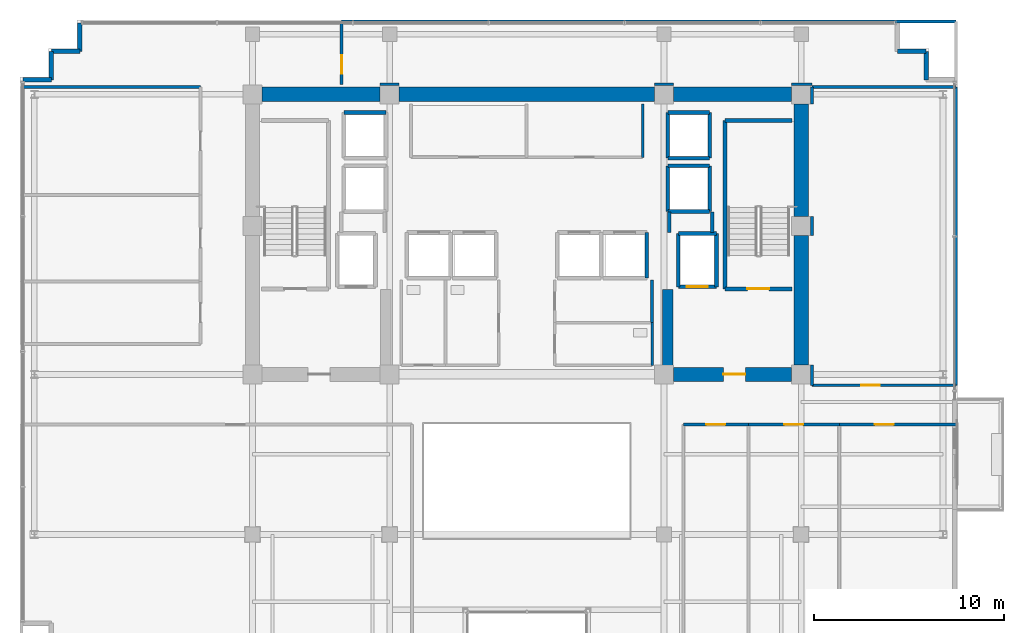
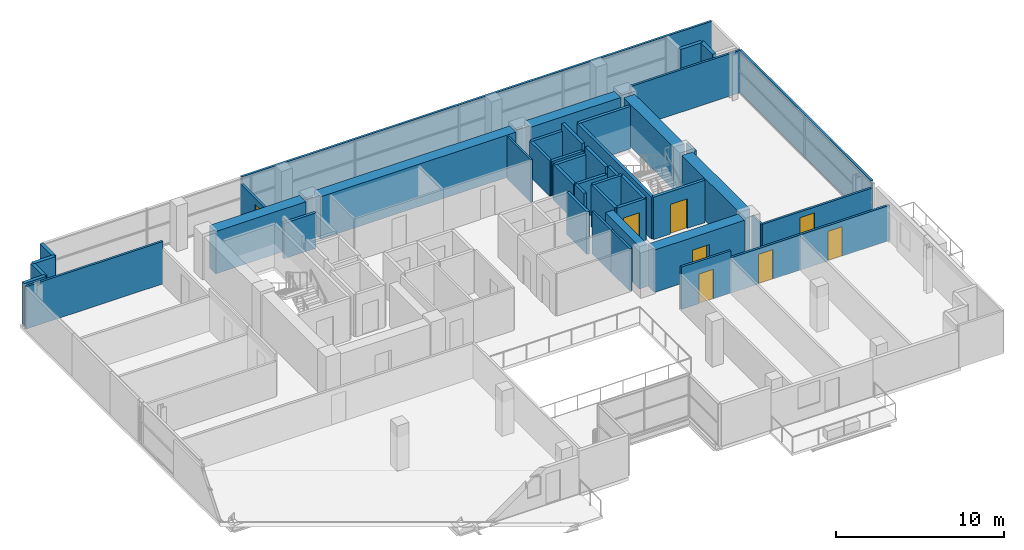
# One storey, part 20 of 25: 50 walls, 8 doors, 8 openings.
"""IFC4 building model written with IfcOpenShell, lengths in metres."""

from ifc_helpers import new_model, si_unit, direction, frame, frame_2d, origin, place, context, subcontext, project, spatial, rectangle, extrude, source, transform, mapped, material, layer, layer_set, type_object, element, fill, save


model = new_model("IFC4")

# Units and contexts
model_context = context("Model", 3, precision=1e-05, world=origin(), true_north=direction((0.0, 1.0)))
body_context = subcontext(model_context, "Body", "Model", "MODEL_VIEW")
ifc_project = project(units=[si_unit("LENGTHUNIT", "METRE"), si_unit("AREAUNIT", "SQUARE_METRE"), si_unit("VOLUMEUNIT", "CUBIC_METRE"), si_unit("PLANEANGLEUNIT", "RADIAN"), si_unit("MASSUNIT", "GRAM", prefix="KILO")], contexts=[model_context])

# Site, building, storey
site_placement = place(None, origin())
site = spatial("IfcSite", under=ifc_project, at=site_placement, CompositionType="ELEMENT")
building_placement = place(site_placement, origin())
building = spatial("IfcBuilding", under=site, at=building_placement, Name="Zarnakvel Exchange Tower", CompositionType="ELEMENT")
storey_placement = place(building_placement, frame((0.0, 0.0, 156.10009765625)))
storey = spatial("IfcBuildingStorey", under=building, at=storey_placement, Name="L43", CompositionType="ELEMENT", Elevation=156.10009765625)

# Walls
ifc_material_1 = material(Name="Concrete C60/75", Category="concrete")
ifc_layer_1 = layer(ifc_material_1, 0.75)
ifc_layer_set_1 = layer_set([ifc_layer_1], Name="Concrete C60/75")
wall_type_1 = type_object("IfcWallType", Name="CW-C3", PredefinedType="SHEAR", material=ifc_layer_set_1)
wall_1_placement = place(storey_placement, frame((-13.89990234375, 13.5, 0.0), z_axis=(0.0, 0.0, 1.0), x_axis=(1.0, 0.0, 0.0)))
element("IfcWall", 1, at=wall_1_placement, inside=storey, type_object=wall_type_1, Name="L43 Rear Core Shear Wall N1 (CW-C3)", PredefinedType="SHEAR", context=body_context, shape_type="SweptSolid", body=[
    extrude(rectangle(XDim=6.199951171875, YDim=0.75, at=frame_2d((3.10009765625, 0.0))), origin(), (0.0, 0.0, 1.0), 3.074951171875),
])
wall_2_placement = place(storey_placement, frame((-6.699951171875, 13.5, 0.0), z_axis=(0.0, 0.0, 1.0), x_axis=(1.0, 0.0, 0.0)))
element("IfcWall", 2, at=wall_2_placement, inside=storey, type_object=wall_type_1, Name="L43 Rear Core Shear Wall N2 (CW-C3)", PredefinedType="SHEAR", context=body_context, shape_type="SweptSolid", body=[
    extrude(rectangle(XDim=13.39990234375, YDim=0.75, at=frame_2d((6.699951171875, 0.0))), origin(), (0.0, 0.0, 1.0), 3.074951171875),
])
wall_3_placement = place(storey_placement, frame((7.699951171875, 13.5, 0.0), z_axis=(0.0, 0.0, 1.0), x_axis=(1.0, 0.0, 0.0)))
element("IfcWall", 3, at=wall_3_placement, inside=storey, type_object=wall_type_1, Name="L43 Rear Core Shear Wall N3 (CW-C3)", PredefinedType="SHEAR", context=body_context, shape_type="SweptSolid", body=[
    extrude(rectangle(XDim=6.199951171875, YDim=0.75, at=frame_2d((3.10009765625, 0.0))), origin(), (0.0, 0.0, 1.0), 3.074951171875),
])
wall_4_placement = place(storey_placement, frame((14.39990234375, -0.699951171875, 0.0), z_axis=(0.0, 0.0, 1.0), x_axis=(0.0, 1.0, 0.0)))
element("IfcWall", 4, at=wall_4_placement, inside=storey, type_object=wall_type_1, Name="L43 Rear Core Shear Wall E1 (CW-C3)", PredefinedType="SHEAR", context=body_context, shape_type="SweptSolid", body=[
    extrude(rectangle(XDim=6.800048828125, YDim=0.75, at=frame_2d((3.39990234375, 0.0))), origin(), (0.0, 0.0, 1.0), 3.074951171875),
])
wall_5_placement = place(storey_placement, frame((14.39990234375, 7.10009765625, 0.0), z_axis=(0.0, 0.0, 1.0), x_axis=(0.0, 1.0, 0.0)))
element("IfcWall", 5, at=wall_5_placement, inside=storey, type_object=wall_type_1, Name="L43 Rear Core Shear Wall E2 (CW-C3)", PredefinedType="SHEAR", context=body_context, shape_type="SweptSolid", body=[
    extrude(rectangle(XDim=5.89990234375, YDim=0.75, at=frame_2d((2.949951171875, 0.0))), origin(), (0.0, 0.0, 1.0), 3.074951171875),
])

# Wall, opening, door
wall_6_placement = place(storey_placement, frame((13.89990234375, -1.199951171875, 0.0), z_axis=(0.0, 0.0, 1.0), x_axis=(-1.0, 0.0, 0.0)))
wall_6 = element("IfcWall", 6, at=wall_6_placement, inside=storey, type_object=wall_type_1, Name="L43 Rear Core Shear Wall SE (CW-C3)", PredefinedType="SHEAR", context=body_context, shape_type="SweptSolid", body=[
    extrude(rectangle(XDim=6.199951171875, YDim=0.75, at=frame_2d((3.10009765625, 0.0))), origin(), (0.0, 0.0, 1.0), 3.074951171875),
])
opening_1_placement = place(wall_6_placement, frame((2.425048828125, 0.0, 0.0)))
opening_1 = element("IfcOpeningElement", 7, at=opening_1_placement, cuts=wall_6, Name="Opening D-L43-04", PredefinedType="OPENING", context=body_context, shape_type="SweptSolid", body=[
    extrude(rectangle(XDim=1.14990234375, YDim=2.14990234375, at=frame_2d((0.574951171875, 1.074951171875))), frame((0.0, 0.385009765625, 0.0), z_axis=(0.0, -1.0, 0.0), x_axis=(1.0, 0.0, 0.0)), (0.0, 0.0, 1.0), 0.77001953125),
])
ifc_material_2 = material(Name="Painted Galvanised Steel S355", Category="steel")
door_type_1 = type_object("IfcDoorType", Name="DT-04", OperationType="NOTDEFINED", PredefinedType="DOOR", material=ifc_material_2)
shared_shape_1 = source(origin(), body_context, "Body", "SweptSolid", [
    extrude(rectangle(XDim=1.14990234375, YDim=2.14990234375, at=frame_2d((0.574951171875, 1.074951171875))), frame((0.0, 0.02490234375, 0.0), z_axis=(0.0, -1.0, 0.0), x_axis=(1.0, 0.0, 0.0)), (0.0, 0.0, 1.0), 0.050048828125),
])
door_1_placement = place(opening_1_placement, origin())
door_1 = element("IfcDoor", 8, at=door_1_placement, inside=storey, type_object=door_type_1, Name="L43 Firefighting Lobby East Door D-L43-04", OperationType="SINGLE_SWING_LEFT", OverallHeight=2.14990234375, OverallWidth=1.14990234375, PredefinedType="DOOR", context=body_context, shape_type="MappedRepresentation", body=[
    mapped(shared_shape_1, transform((0.0, 0.0, 0.0), x_axis=(1.0, 0.0, 0.0), y_axis=(0.0, 1.0, 0.0), z_axis=(0.0, 0.0, 1.0), scale=1.0)),
])
fill(opening_1, door_1)

# Walls
ifc_layer_2 = layer(ifc_material_1, 0.550048828125)
ifc_layer_set_2 = layer_set([ifc_layer_2], Name="Concrete C60/75")
wall_type_2 = type_object("IfcWallType", Name="CW-C4", PredefinedType="SHEAR", material=ifc_layer_set_2)
wall_7_placement = place(storey_placement, frame((7.39990234375, -0.824951171875, 0.0), z_axis=(0.0, 0.0, 1.0), x_axis=(0.0, 1.0, 0.0)))
element("IfcWall", 9, at=wall_7_placement, inside=storey, type_object=wall_type_2, Name="L43 Rear Core Shear Wall IE (CW-C4)", PredefinedType="SHEAR", context=body_context, shape_type="SweptSolid", body=[
    extrude(rectangle(XDim=4.074951171875, YDim=0.550048828125, at=frame_2d((2.03759765625, 0.0))), origin(), (0.0, 0.0, 1.0), 3.074951171875),
])
ifc_material_3 = material(Name="Precast concrete C40/50", Category="concrete")
ifc_layer_3 = layer(ifc_material_3, 0.239990234375)
ifc_layer_set_3 = layer_set([ifc_layer_3], Name="Precast concrete C40/50")
wall_type_3 = type_object("IfcWallType", Name="EW-02", PredefinedType="SOLIDWALL", material=ifc_layer_set_3)
for number, where, z_axis, x_axis, name in (
    (10, (-24.9599609375, 14.260009765625, 0.0), (0.0, 0.0, 1.0), (-1.0, 0.0, 0.0), "L43 Exterior Precast Spandrel Wall EWC-L43-01 (EW-02)"),
    (11, (-24.9599609375, 15.760009765625, 0.0), (0.0, 0.0, 1.0), (0.0, -1.0, 0.0), "L43 Exterior Precast Spandrel Wall EWC-L43-02 (EW-02)"),
    (12, (-23.4599609375, 15.760009765625, 0.0), (0.0, 0.0, 1.0), (-1.0, 0.0, 0.0), "L43 Exterior Precast Spandrel Wall EWC-L43-03 (EW-02)"),
    (13, (-23.4599609375, 17.260009765625, 0.0), (0.0, 0.0, 1.0), (0.0, -1.0, 0.0), "L43 Exterior Precast Spandrel Wall EWC-L43-04 (EW-02)"),
    (14, (20.9599609375, 15.760009765625, 0.0), (0.0, 0.0, 1.0), (-1.0, 0.0, 0.0), "L43 Exterior Precast Spandrel Wall EWC-L43-06 (EW-02)"),
    (15, (20.9599609375, 14.260009765625, 0.0), (0.0, 0.0, 1.0), (0.0, 1.0, 0.0), "L43 Exterior Precast Spandrel Wall EWC-L43-07 (EW-02)"),
):
    element("IfcWall", number, at=place(storey_placement, frame(where, z_axis=z_axis, x_axis=x_axis)), inside=storey, type_object=wall_type_3, Name=name, PredefinedType="SOLIDWALL", context=body_context, shape_type="SweptSolid", body=[
        extrude(rectangle(XDim=1.5, YDim=0.239990234375, at=frame_2d((0.75, 0.0))), origin(), (0.0, 0.0, 1.0), 3.074951171875),
    ])
ifc_material_4 = material(Name="Fire-Rated Gypsum Stud Partition", Category="gypsum")
ifc_layer_4 = layer(ifc_material_4, 0.14990234375)
ifc_layer_set_4 = layer_set([ifc_layer_4], Name="Fire-Rated Gypsum Stud Partition")
wall_type_4 = type_object("IfcWallType", Name="PT-01", PredefinedType="PARTITIONING", material=ifc_layer_set_4)
wall_8_placement = place(storey_placement, frame((6.580078125, 3.760009765625, 0.0), z_axis=(0.0, 0.0, 1.0), x_axis=(0.0, -1.0, 0.0)))
element("IfcWall", 16, at=wall_8_placement, inside=storey, type_object=wall_type_4, Name="L43 Partition Wall PWALL-L43-026 (PT-01)", PredefinedType="PARTITIONING", context=body_context, shape_type="SweptSolid", body=[
    extrude(rectangle(XDim=2.239990234375, YDim=0.14990234375, at=frame_2d((1.1201171875, 0.0))), origin(), (0.0, 0.0, 1.0), 3.074951171875),
])

# Wall, opening, door
wall_9_placement = place(storey_placement, frame((8.214599609375, -3.830078125, 0.0), z_axis=(0.0, 0.0, 1.0), x_axis=(1.0, 0.0, 0.0)))
wall_9 = element("IfcWall", 17, at=wall_9_placement, inside=storey, type_object=wall_type_4, Name="L43 Partition Wall PWALL-L43-032 (PT-01)", PredefinedType="PARTITIONING", context=body_context, shape_type="SweptSolid", body=[
    extrude(rectangle(XDim=3.415283203125, YDim=0.14990234375, at=frame_2d((1.70751953125, 0.0))), origin(), (0.0, 0.0, 1.0), 3.074951171875),
])
opening_2_placement = place(wall_9_placement, frame((1.21728515625, 0.0, 0.0)))
opening_2 = element("IfcOpeningElement", 18, at=opening_2_placement, cuts=wall_9, Name="Opening D-L43-12", PredefinedType="OPENING", context=body_context, shape_type="SweptSolid", body=[
    extrude(rectangle(XDim=0.97998046875, YDim=2.14990234375, at=frame_2d((0.489990234375, 1.074951171875))), frame((0.0, 0.0849609375, 0.0), z_axis=(0.0, -1.0, 0.0), x_axis=(1.0, 0.0, 0.0)), (0.0, 0.0, 1.0), 0.169921875),
])
ifc_material_5 = material(Name="Timber Acoustic Veneer", Category="wood")
door_type_2 = type_object("IfcDoorType", Name="DT-05", OperationType="NOTDEFINED", PredefinedType="DOOR", material=ifc_material_5)
shared_shape_2 = source(origin(), body_context, "Body", "SweptSolid", [
    extrude(rectangle(XDim=0.97998046875, YDim=2.14990234375, at=frame_2d((0.489990234375, 1.074951171875))), frame((0.0, 0.02490234375, 0.0), z_axis=(0.0, -1.0, 0.0), x_axis=(1.0, 0.0, 0.0)), (0.0, 0.0, 1.0), 0.050048828125),
])
door_2_placement = place(opening_2_placement, origin())
door_2 = element("IfcDoor", 19, at=door_2_placement, inside=storey, type_object=door_type_2, Name="L43 Meeting Room Door D-L43-12", OperationType="SINGLE_SWING_LEFT", OverallHeight=2.14990234375, OverallWidth=0.97998046875, PredefinedType="DOOR", context=body_context, shape_type="MappedRepresentation", body=[
    mapped(shared_shape_2, transform((0.0, 0.0, 0.0), x_axis=(1.0, 0.0, 0.0), y_axis=(0.0, 1.0, 0.0), z_axis=(0.0, 0.0, 1.0), scale=1.0)),
])
fill(opening_2, door_2)

wall_10_placement = place(storey_placement, frame((11.6298828125, -3.830078125, 0.0), z_axis=(0.0, 0.0, 1.0), x_axis=(1.0, 0.0, 0.0)))
wall_10 = element("IfcWall", 20, at=wall_10_placement, inside=storey, type_object=wall_type_4, Name="L43 Partition Wall PWALL-L43-036 (PT-01)", PredefinedType="PARTITIONING", context=body_context, shape_type="SweptSolid", body=[
    extrude(rectangle(XDim=4.77197265625, YDim=0.14990234375, at=frame_2d((2.385986328125, 0.0))), origin(), (0.0, 0.0, 1.0), 2.56494140625),
])
opening_3_placement = place(wall_10_placement, frame((1.89599609375, 0.0, 0.0)))
opening_3 = element("IfcOpeningElement", 21, at=opening_3_placement, cuts=wall_10, Name="Opening D-L43-13", PredefinedType="OPENING", context=body_context, shape_type="SweptSolid", body=[
    extrude(rectangle(XDim=0.97998046875, YDim=2.14990234375, at=frame_2d((0.489990234375, 1.074951171875))), frame((0.0, 0.0849609375, 0.0), z_axis=(0.0, -1.0, 0.0), x_axis=(1.0, 0.0, 0.0)), (0.0, 0.0, 1.0), 0.169921875),
])
door_3_placement = place(opening_3_placement, origin())
door_3 = element("IfcDoor", 22, at=door_3_placement, inside=storey, type_object=door_type_2, Name="L43 Breakout Pantry Door D-L43-13", OperationType="SINGLE_SWING_RIGHT", OverallHeight=2.14990234375, OverallWidth=0.97998046875, PredefinedType="DOOR", context=body_context, shape_type="MappedRepresentation", body=[
    mapped(shared_shape_2, transform((0.0, 0.0, 0.0), x_axis=(1.0, 0.0, 0.0), y_axis=(0.0, 1.0, 0.0), z_axis=(0.0, 0.0, 1.0), scale=1.0)),
])
fill(opening_3, door_3)

wall_11_placement = place(storey_placement, frame((16.40185546875, -3.830078125, 0.0), z_axis=(0.0, 0.0, 1.0), x_axis=(1.0, 0.0, 0.0)))
wall_11 = element("IfcWall", 23, at=wall_11_placement, inside=storey, type_object=wall_type_4, Name="L43 Partition Wall PWALL-L43-039 (PT-01)", PredefinedType="PARTITIONING", context=body_context, shape_type="SweptSolid", body=[
    extrude(rectangle(XDim=6.128173828125, YDim=0.14990234375, at=frame_2d((3.06396484375, 0.0))), origin(), (0.0, 0.0, 1.0), 2.56494140625),
])
opening_4_placement = place(wall_11_placement, frame((1.874267578125, 0.0, 0.0)))
opening_4 = element("IfcOpeningElement", 24, at=opening_4_placement, cuts=wall_11, Name="Opening D-L43-14", PredefinedType="OPENING", context=body_context, shape_type="SweptSolid", body=[
    extrude(rectangle(XDim=0.97998046875, YDim=2.14990234375, at=frame_2d((0.489990234375, 1.074951171875))), frame((0.0, 0.0849609375, 0.0), z_axis=(0.0, -1.0, 0.0), x_axis=(1.0, 0.0, 0.0)), (0.0, 0.0, 1.0), 0.169921875),
])
door_4_placement = place(opening_4_placement, origin())
door_4 = element("IfcDoor", 25, at=door_4_placement, inside=storey, type_object=door_type_2, Name="L43 Settlement Office Door D-L43-14", OperationType="SINGLE_SWING_LEFT", OverallHeight=2.14990234375, OverallWidth=0.97998046875, PredefinedType="DOOR", context=body_context, shape_type="MappedRepresentation", body=[
    mapped(shared_shape_2, transform((0.0, 0.0, 0.0), x_axis=(1.0, 0.0, 0.0), y_axis=(0.0, 1.0, 0.0), z_axis=(0.0, 0.0, 1.0), scale=1.0)),
])
fill(opening_4, door_4)

# Wall
wall_12_placement = place(storey_placement, frame((-26.530029296875, 13.8798828125, 0.0), z_axis=(0.0, 0.0, 1.0), x_axis=(1.0, 0.0, 0.0)))
element("IfcWall", 26, at=wall_12_placement, inside=storey, type_object=wall_type_4, Name="L43 Partition Wall PWALL-L43-048 (PT-01)", PredefinedType="PARTITIONING", context=body_context, shape_type="SweptSolid", body=[
    extrude(rectangle(XDim=9.400146484375, YDim=0.14990234375, at=frame_2d((4.7001953125, 0.0))), origin(), (0.0, 0.0, 1.0), 3.074951171875),
])

# Wall, opening, door
wall_13_placement = place(storey_placement, frame((22.530029296875, -1.77001953125, 0.0), z_axis=(0.0, 0.0, 1.0), x_axis=(-1.0, 0.0, 0.0)))
wall_13 = element("IfcWall", 27, at=wall_13_placement, inside=storey, type_object=wall_type_4, Name="L43 Partition Wall PWALL-L43-051 (PT-01)", PredefinedType="PARTITIONING", context=body_context, shape_type="SweptSolid", body=[
    extrude(rectangle(XDim=7.56005859375, YDim=0.14990234375, at=frame_2d((3.780029296875, 0.0))), origin(), (0.0, 0.0, 1.0), 2.56494140625),
])
opening_5_placement = place(wall_13_placement, frame((3.989990234375, 0.0, 0.0)))
opening_5 = element("IfcOpeningElement", 28, at=opening_5_placement, cuts=wall_13, Name="Opening D-L43-18", PredefinedType="OPENING", context=body_context, shape_type="SweptSolid", body=[
    extrude(rectangle(XDim=0.97998046875, YDim=2.14990234375, at=frame_2d((0.489990234375, 1.074951171875))), frame((0.0, 0.0849609375, 0.0), z_axis=(0.0, -1.0, 0.0), x_axis=(1.0, 0.0, 0.0)), (0.0, 0.0, 1.0), 0.169921875),
])
door_5_placement = place(opening_5_placement, origin())
door_5 = element("IfcDoor", 29, at=door_5_placement, inside=storey, type_object=door_type_2, Name="L43 Breakout Pantry Door D-L43-18", OperationType="SINGLE_SWING_LEFT", OverallHeight=2.14990234375, OverallWidth=0.97998046875, PredefinedType="DOOR", context=body_context, shape_type="MappedRepresentation", body=[
    mapped(shared_shape_2, transform((0.0, 0.0, 0.0), x_axis=(1.0, 0.0, 0.0), y_axis=(0.0, 1.0, 0.0), z_axis=(0.0, 0.0, 1.0), scale=1.0)),
])
fill(opening_5, door_5)

# Walls
wall_14_placement = place(storey_placement, frame((14.969970703125, 13.8798828125, 0.0), z_axis=(0.0, 0.0, 1.0), x_axis=(1.0, 0.0, 0.0)))
element("IfcWall", 30, at=wall_14_placement, inside=storey, type_object=wall_type_4, Name="L43 Partition Wall PWALL-L43-052 (PT-01)", PredefinedType="PARTITIONING", context=body_context, shape_type="SweptSolid", body=[
    extrude(rectangle(XDim=7.56005859375, YDim=0.14990234375, at=frame_2d((3.780029296875, 0.0))), origin(), (0.0, 0.0, 1.0), 3.074951171875),
])
wall_15_placement = place(storey_placement, frame((14.969970703125, -1.77001953125, 0.0), z_axis=(0.0, 0.0, 1.0), x_axis=(0.0, 1.0, 0.0)))
element("IfcWall", 31, at=wall_15_placement, inside=storey, type_object=wall_type_4, Name="L43 Partition Wall PWALL-L43-053 (PT-01)", PredefinedType="PARTITIONING", context=body_context, shape_type="SweptSolid", body=[
    extrude(rectangle(XDim=1.070068359375, YDim=0.14990234375, at=frame_2d((0.53515625, 0.0))), origin(), (0.0, 0.0, 1.0), 2.56494140625),
])
wall_16_placement = place(storey_placement, frame((14.969970703125, 6.10009765625, 0.0), z_axis=(0.0, 0.0, 1.0), x_axis=(0.0, 1.0, 0.0)))
element("IfcWall", 32, at=wall_16_placement, inside=storey, type_object=wall_type_4, Name="L43 Partition Wall PWALL-L43-054 (PT-01)", PredefinedType="PARTITIONING", context=body_context, shape_type="SweptSolid", body=[
    extrude(rectangle(XDim=1.0, YDim=0.14990234375, at=frame_2d((0.5, 0.0))), origin(), (0.0, 0.0, 1.0), 3.074951171875),
])
wall_17_placement = place(storey_placement, frame((14.969970703125, 13.0, 0.0), z_axis=(0.0, 0.0, 1.0), x_axis=(0.0, 1.0, 0.0)))
element("IfcWall", 33, at=wall_17_placement, inside=storey, type_object=wall_type_4, Name="L43 Partition Wall PWALL-L43-055 (PT-01)", PredefinedType="PARTITIONING", context=body_context, shape_type="SweptSolid", body=[
    extrude(rectangle(XDim=0.8798828125, YDim=0.14990234375, at=frame_2d((0.43994140625, 0.0))), origin(), (0.0, 0.0, 1.0), 2.56494140625),
])
wall_18_placement = place(storey_placement, frame((22.530029296875, 13.8798828125, 0.0), z_axis=(0.0, 0.0, 1.0), x_axis=(0.0, -1.0, 0.0)))
element("IfcWall", 34, at=wall_18_placement, inside=storey, type_object=wall_type_4, Name="L43 Partition Wall PWALL-L43-056 (PT-01)", PredefinedType="PARTITIONING", context=body_context, shape_type="SweptSolid", body=[
    extrude(rectangle(XDim=15.64990234375, YDim=0.14990234375, at=frame_2d((7.824951171875, 0.0))), origin(), (0.0, 0.0, 1.0), 3.074951171875),
])
for number, where, z_axis, x_axis, name in (
    (35, (-6.699951171875, 14.030029296875, 0.0), (0.0, 0.0, 1.0), (-1.0, 0.0, 0.0), "L43 Partition Wall PWALL-L43-057 (PT-01)"),
    (36, (7.699951171875, 14.030029296875, 0.0), (0.0, 0.0, 1.0), (-1.0, 0.0, 0.0), "L43 Partition Wall PWALL-L43-058 (PT-01)"),
):
    element("IfcWall", number, at=place(storey_placement, frame(where, z_axis=z_axis, x_axis=x_axis)), inside=storey, type_object=wall_type_4, Name=name, PredefinedType="PARTITIONING", context=body_context, shape_type="SweptSolid", body=[
        extrude(rectangle(XDim=1.0, YDim=0.14990234375, at=frame_2d((0.5, 0.0))), origin(), (0.0, 0.0, 1.0), 2.56494140625),
    ])
wall_19_placement = place(storey_placement, frame((14.969970703125, 14.030029296875, 0.0), z_axis=(0.0, 0.0, 1.0), x_axis=(-1.0, 0.0, 0.0)))
element("IfcWall", 37, at=wall_19_placement, inside=storey, type_object=wall_type_4, Name="L43 Partition Wall PWALL-L43-059 (PT-01)", PredefinedType="PARTITIONING", context=body_context, shape_type="SweptSolid", body=[
    extrude(rectangle(XDim=1.070068359375, YDim=0.14990234375, at=frame_2d((0.53515625, 0.0))), origin(), (0.0, 0.0, 1.0), 2.56494140625),
])
wall_20_placement = place(storey_placement, frame((-9.719970703125, 17.330078125, 0.0), z_axis=(0.0, 0.0, 1.0), x_axis=(1.0, 0.0, 0.0)))
element("IfcWall", 38, at=wall_20_placement, inside=storey, type_object=wall_type_4, Name="L43 Partition Wall PWALL-L43-060 (PT-01)", PredefinedType="PARTITIONING", context=body_context, shape_type="SweptSolid", body=[
    extrude(rectangle(XDim=32.25, YDim=0.14990234375, at=frame_2d((16.125, 0.0))), origin(), (0.0, 0.0, 1.0), 3.074951171875),
])

# Wall, opening, door
wall_21_placement = place(storey_placement, frame((-9.719970703125, 14.030029296875, 0.0), z_axis=(0.0, 0.0, 1.0), x_axis=(0.0, 1.0, 0.0)))
wall_21 = element("IfcWall", 39, at=wall_21_placement, inside=storey, type_object=wall_type_4, Name="L43 Partition Wall PWALL-L43-061 (PT-01)", PredefinedType="PARTITIONING", context=body_context, shape_type="SweptSolid", body=[
    extrude(rectangle(XDim=3.300048828125, YDim=0.14990234375, at=frame_2d((1.64990234375, 0.0))), origin(), (0.0, 0.0, 1.0), 2.56494140625),
])
opening_6_placement = place(wall_21_placement, frame((0.550048828125, 0.0, 0.0)))
opening_6 = element("IfcOpeningElement", 40, at=opening_6_placement, cuts=wall_21, Name="Opening D-L43-19", PredefinedType="OPENING", context=body_context, shape_type="SweptSolid", body=[
    extrude(rectangle(XDim=0.97998046875, YDim=2.14990234375, at=frame_2d((0.489990234375, 1.074951171875))), frame((0.0, 0.0849609375, 0.0), z_axis=(0.0, -1.0, 0.0), x_axis=(1.0, 0.0, 0.0)), (0.0, 0.0, 1.0), 0.169921875),
])
door_6_placement = place(opening_6_placement, origin())
door_6 = element("IfcDoor", 41, at=door_6_placement, inside=storey, type_object=door_type_2, Name="L43 Settlement Office Door D-L43-19", OperationType="SINGLE_SWING_RIGHT", OverallHeight=2.14990234375, OverallWidth=0.97998046875, PredefinedType="DOOR", context=body_context, shape_type="MappedRepresentation", body=[
    mapped(shared_shape_2, transform((0.0, 0.0, 0.0), x_axis=(1.0, 0.0, 0.0), y_axis=(0.0, 1.0, 0.0), z_axis=(0.0, 0.0, 1.0), scale=1.0)),
])
fill(opening_6, door_6)

# Walls
ifc_layer_5 = layer(ifc_material_4, 0.179931640625)
ifc_layer_set_5 = layer_set([ifc_layer_5], Name="Fire-Rated Gypsum Stud Partition")
wall_type_5 = type_object("IfcWallType", Name="PT-02", PredefinedType="PARTITIONING", material=ifc_layer_set_5)
wall_22_placement = place(storey_placement, frame((7.469970703125, 6.239990234375, 0.0), z_axis=(0.0, 0.0, 1.0), x_axis=(0.0, 1.0, 0.0)))
element("IfcWall", 42, at=wall_22_placement, inside=storey, type_object=wall_type_5, Name="L43 Partition Wall PWALL-L43-009 (PT-02)", PredefinedType="PARTITIONING", context=body_context, shape_type="SweptSolid", body=[
    extrude(rectangle(XDim=1.090087890625, YDim=0.179931640625, at=frame_2d((0.544921875, 0.0))), origin(), (0.0, 0.0, 1.0), 2.56494140625),
])
wall_23_placement = place(storey_placement, frame((9.72998046875, 7.330078125, 0.0), z_axis=(0.0, 0.0, 1.0), x_axis=(0.0, -1.0, 0.0)))
element("IfcWall", 43, at=wall_23_placement, inside=storey, type_object=wall_type_5, Name="L43 Partition Wall PWALL-L43-010 (PT-02)", PredefinedType="PARTITIONING", context=body_context, shape_type="SweptSolid", body=[
    extrude(rectangle(XDim=1.090087890625, YDim=0.179931640625, at=frame_2d((0.544921875, 0.0))), origin(), (0.0, 0.0, 1.0), 3.074951171875),
])
ifc_material_6 = material(Name="Moisture-Resistant Tile-Faced Partition", Category="gypsum")
ifc_layer_6 = layer(ifc_material_6, 0.135009765625)
ifc_layer_set_6 = layer_set([ifc_layer_6], Name="Moisture-Resistant Tile-Faced Partition")
wall_type_6 = type_object("IfcWallType", Name="PT-03", PredefinedType="PARTITIONING", material=ifc_layer_set_6)
wall_24_placement = place(storey_placement, frame((6.080078125, 13.0, 0.0), z_axis=(0.0, 0.0, 1.0), x_axis=(0.0, -1.0, 0.0)))
element("IfcWall", 44, at=wall_24_placement, inside=storey, type_object=wall_type_6, Name="L43 Partition Wall PWALL-L43-015 (PT-03)", PredefinedType="PARTITIONING", context=body_context, shape_type="SweptSolid", body=[
    extrude(rectangle(XDim=2.800048828125, YDim=0.135009765625, at=frame_2d((1.39990234375, 0.0))), origin(), (0.0, 0.0, 1.0), 3.074951171875),
])
wall_25_placement = place(storey_placement, frame((6.580078125, 1.52001953125, 0.0), z_axis=(0.0, 0.0, 1.0), x_axis=(0.0, -1.0, 0.0)))
element("IfcWall", 45, at=wall_25_placement, inside=storey, type_object=wall_type_6, Name="L43 Partition Wall PWALL-L43-024 (PT-03)", PredefinedType="PARTITIONING", context=body_context, shape_type="SweptSolid", body=[
    extrude(rectangle(XDim=2.25, YDim=0.135009765625, at=frame_2d((1.125, 0.0))), origin(), (0.0, 0.0, 1.0), 3.074951171875),
])

# Wall, opening, door
ifc_material_7 = material(Name="Concrete C40/50", Category="concrete")
ifc_layer_7 = layer(ifc_material_7, 0.199951171875)
ifc_layer_set_7 = layer_set([ifc_layer_7], Name="Concrete C40/50")
wall_type_7 = type_object("IfcWallType", Name="SW-01", PredefinedType="SOLIDWALL", material=ifc_layer_set_7)
wall_26_placement = place(storey_placement, frame((9.949951171875, 3.39990234375, 0.0), z_axis=(0.0, 0.0, 1.0), x_axis=(-1.0, 0.0, 0.0)))
wall_26 = element("IfcWall", 46, at=wall_26_placement, inside=storey, type_object=wall_type_7, Name="L43 FL-02 Hoistway Wall South", PredefinedType="SOLIDWALL", context=body_context, shape_type="SweptSolid", body=[
    extrude(rectangle(XDim=2.0, YDim=0.199951171875, at=frame_2d((1.0, 0.0))), origin(), (0.0, 0.0, 1.0), 3.074951171875),
])
opening_7_placement = place(wall_26_placement, frame((0.449951171875, 0.0, 0.0)))
opening_7 = element("IfcOpeningElement", 47, at=opening_7_placement, cuts=wall_26, Name="Opening LD-FL-02-L43", PredefinedType="OPENING", context=body_context, shape_type="SweptSolid", body=[
    extrude(rectangle(XDim=1.10009765625, YDim=2.199951171875, at=frame_2d((0.550048828125, 1.10009765625))), frame((0.0, 0.10986328125, 0.0), z_axis=(0.0, -1.0, 0.0), x_axis=(1.0, 0.0, 0.0)), (0.0, 0.0, 1.0), 0.219970703125),
])
ifc_material_8 = material(Name="Brushed Stainless Steel", Category="steel")
door_type_3 = type_object("IfcDoorType", Name="LDT-01", OperationType="NOTDEFINED", PredefinedType="DOOR", material=ifc_material_8)
shared_shape_3 = source(origin(), body_context, "Body", "SweptSolid", [
    extrude(rectangle(XDim=1.10009765625, YDim=2.199951171875, at=frame_2d((0.550048828125, 1.10009765625))), frame((0.0, 0.02490234375, 0.0), z_axis=(0.0, -1.0, 0.0), x_axis=(1.0, 0.0, 0.0)), (0.0, 0.0, 1.0), 0.050048828125),
])
door_7_placement = place(opening_7_placement, origin())
door_7 = element("IfcDoor", 48, at=door_7_placement, inside=storey, type_object=door_type_3, Name="L43 FL-02 Lift Landing Door LD-FL-02-L43", OperationType="DOUBLE_DOOR_SLIDING", OverallHeight=2.199951171875, OverallWidth=1.10009765625, PredefinedType="DOOR", context=body_context, shape_type="MappedRepresentation", body=[
    mapped(shared_shape_3, transform((0.0, 0.0, 0.0), x_axis=(1.0, 0.0, 0.0), y_axis=(0.0, 1.0, 0.0), z_axis=(0.0, 0.0, 1.0), scale=1.0)),
])
fill(opening_7, door_7)

# Walls
wall_27_placement = place(storey_placement, frame((7.949951171875, 6.199951171875, 0.0), z_axis=(0.0, 0.0, 1.0), x_axis=(1.0, 0.0, 0.0)))
element("IfcWall", 49, at=wall_27_placement, inside=storey, type_object=wall_type_7, Name="L43 FL-02 Hoistway Wall North", PredefinedType="SOLIDWALL", context=body_context, shape_type="SweptSolid", body=[
    extrude(rectangle(XDim=2.0, YDim=0.199951171875, at=frame_2d((1.0, 0.0))), origin(), (0.0, 0.0, 1.0), 3.074951171875),
])
for number, where, z_axis, x_axis, name in (
    (50, (7.949951171875, 3.39990234375, 0.0), (0.0, 0.0, 1.0), (0.0, 1.0, 0.0), "L43 FL-02 Hoistway Wall West"),
    (51, (9.949951171875, 6.199951171875, 0.0), (0.0, 0.0, 1.0), (0.0, -1.0, 0.0), "L43 FL-02 Hoistway Wall East"),
):
    element("IfcWall", number, at=place(storey_placement, frame(where, z_axis=z_axis, x_axis=x_axis)), inside=storey, type_object=wall_type_7, Name=name, PredefinedType="SOLIDWALL", context=body_context, shape_type="SweptSolid", body=[
        extrude(rectangle(XDim=2.800048828125, YDim=0.199951171875, at=frame_2d((1.39990234375, 0.0))), origin(), (0.0, 0.0, 1.0), 3.074951171875),
    ])
wall_28_placement = place(storey_placement, frame((6.300048828125, 6.25, 0.0), z_axis=(0.0, 0.0, 1.0), x_axis=(0.0, -1.0, 0.0)))
element("IfcWall", 52, at=wall_28_placement, inside=storey, type_object=wall_type_7, Name="L43 PL-08 Hoistway Wall East", PredefinedType="SOLIDWALL", context=body_context, shape_type="SweptSolid", body=[
    extrude(rectangle(XDim=2.39990234375, YDim=0.199951171875, at=frame_2d((1.199951171875, 0.0))), origin(), (0.0, 0.0, 1.0), 3.074951171875),
])
for number, where, z_axis, x_axis, name in (
    (53, (-9.60009765625, 12.550048828125, 0.0), (0.0, 0.0, 1.0), (1.0, 0.0, 0.0), "L43 PL-10 Hoistway Wall North"),
    (54, (9.60009765625, 7.35009765625, 0.0), (0.0, 0.0, 1.0), (-1.0, 0.0, 0.0), "L43 PL-11 Hoistway Wall South"),
    (55, (7.39990234375, 9.75, 0.0), (0.0, 0.0, 1.0), (1.0, 0.0, 0.0), "L43 PL-11 Hoistway Wall North"),
):
    element("IfcWall", number, at=place(storey_placement, frame(where, z_axis=z_axis, x_axis=x_axis)), inside=storey, type_object=wall_type_7, Name=name, PredefinedType="SOLIDWALL", context=body_context, shape_type="SweptSolid", body=[
        extrude(rectangle(XDim=2.2001953125, YDim=0.199951171875, at=frame_2d((1.10009765625, 0.0))), origin(), (0.0, 0.0, 1.0), 2.56494140625),
    ])
wall_29_placement = place(storey_placement, frame((7.39990234375, 7.35009765625, 0.0), z_axis=(0.0, 0.0, 1.0), x_axis=(0.0, 1.0, 0.0)))
element("IfcWall", 56, at=wall_29_placement, inside=storey, type_object=wall_type_7, Name="L43 PL-11 Hoistway Wall West", PredefinedType="SOLIDWALL", context=body_context, shape_type="SweptSolid", body=[
    extrude(rectangle(XDim=2.39990234375, YDim=0.199951171875, at=frame_2d((1.199951171875, 0.0))), origin(), (0.0, 0.0, 1.0), 2.56494140625),
])
wall_30_placement = place(storey_placement, frame((9.60009765625, 9.75, 0.0), z_axis=(0.0, 0.0, 1.0), x_axis=(0.0, -1.0, 0.0)))
element("IfcWall", 57, at=wall_30_placement, inside=storey, type_object=wall_type_7, Name="L43 PL-11 Hoistway Wall East", PredefinedType="SOLIDWALL", context=body_context, shape_type="SweptSolid", body=[
    extrude(rectangle(XDim=2.39990234375, YDim=0.199951171875, at=frame_2d((1.199951171875, 0.0))), origin(), (0.0, 0.0, 1.0), 3.074951171875),
])
for number, where, z_axis, x_axis, name in (
    (58, (9.60009765625, 10.14990234375, 0.0), (0.0, 0.0, 1.0), (-1.0, 0.0, 0.0), "L43 PL-12 Hoistway Wall South"),
    (59, (7.39990234375, 12.550048828125, 0.0), (0.0, 0.0, 1.0), (1.0, 0.0, 0.0), "L43 PL-12 Hoistway Wall North"),
):
    element("IfcWall", number, at=place(storey_placement, frame(where, z_axis=z_axis, x_axis=x_axis)), inside=storey, type_object=wall_type_7, Name=name, PredefinedType="SOLIDWALL", context=body_context, shape_type="SweptSolid", body=[
        extrude(rectangle(XDim=2.2001953125, YDim=0.199951171875, at=frame_2d((1.10009765625, 0.0))), origin(), (0.0, 0.0, 1.0), 2.56494140625),
    ])
wall_31_placement = place(storey_placement, frame((7.39990234375, 10.14990234375, 0.0), z_axis=(0.0, 0.0, 1.0), x_axis=(0.0, 1.0, 0.0)))
element("IfcWall", 60, at=wall_31_placement, inside=storey, type_object=wall_type_7, Name="L43 PL-12 Hoistway Wall West", PredefinedType="SOLIDWALL", context=body_context, shape_type="SweptSolid", body=[
    extrude(rectangle(XDim=2.400146484375, YDim=0.199951171875, at=frame_2d((1.2001953125, 0.0))), origin(), (0.0, 0.0, 1.0), 2.56494140625),
])
wall_32_placement = place(storey_placement, frame((9.60009765625, 12.550048828125, 0.0), z_axis=(0.0, 0.0, 1.0), x_axis=(0.0, -1.0, 0.0)))
element("IfcWall", 61, at=wall_32_placement, inside=storey, type_object=wall_type_7, Name="L43 PL-12 Hoistway Wall East", PredefinedType="SOLIDWALL", context=body_context, shape_type="SweptSolid", body=[
    extrude(rectangle(XDim=2.400146484375, YDim=0.199951171875, at=frame_2d((1.2001953125, 0.0))), origin(), (0.0, 0.0, 1.0), 3.074951171875),
])

# Wall, opening, door
ifc_layer_8 = layer(ifc_material_7, 0.199951171875)
ifc_layer_set_8 = layer_set([ifc_layer_8], Name="Concrete C40/50")
wall_type_8 = type_object("IfcWallType", Name="SW-02", PredefinedType="SOLIDWALL", material=ifc_layer_set_8)
wall_33_placement = place(storey_placement, frame((13.929931640625, 3.2900390625, 0.0), z_axis=(0.0, 0.0, 1.0), x_axis=(-1.0, 0.0, 0.0)))
wall_33 = element("IfcWall", 62, at=wall_33_placement, inside=storey, type_object=wall_type_8, Name="L43 Stairwell Core Wall PWALL-L43-004 (SW-02)", PredefinedType="SOLIDWALL", context=body_context, shape_type="SweptSolid", body=[
    extrude(rectangle(XDim=3.52001953125, YDim=0.199951171875, at=frame_2d((1.760009765625, 0.0))), origin(), (0.0, 0.0, 1.0), 3.074951171875),
])
opening_8_placement = place(wall_33_placement, frame((1.205078125, 0.0, 0.0)))
opening_8 = element("IfcOpeningElement", 63, at=opening_8_placement, cuts=wall_33, Name="Opening D-L43-02", PredefinedType="OPENING", context=body_context, shape_type="SweptSolid", body=[
    extrude(rectangle(XDim=1.14990234375, YDim=2.14990234375, at=frame_2d((0.574951171875, 1.074951171875))), frame((0.0, 0.10986328125, 0.0), z_axis=(0.0, -1.0, 0.0), x_axis=(1.0, 0.0, 0.0)), (0.0, 0.0, 1.0), 0.219970703125),
])
door_8_placement = place(opening_8_placement, origin())
door_8 = element("IfcDoor", 64, at=door_8_placement, inside=storey, type_object=door_type_1, Name="L43 Stairwell ST-02 Door D-L43-02", OperationType="SINGLE_SWING_LEFT", OverallHeight=2.14990234375, OverallWidth=1.14990234375, PredefinedType="DOOR", context=body_context, shape_type="MappedRepresentation", body=[
    mapped(shared_shape_1, transform((0.0, 0.0, 0.0), x_axis=(1.0, 0.0, 0.0), y_axis=(0.0, 1.0, 0.0), z_axis=(0.0, 0.0, 1.0), scale=1.0)),
])
fill(opening_8, door_8)

# Walls
wall_34_placement = place(storey_placement, frame((10.409912109375, 12.1298828125, 0.0), z_axis=(0.0, 0.0, 1.0), x_axis=(1.0, 0.0, 0.0)))
element("IfcWall", 65, at=wall_34_placement, inside=storey, type_object=wall_type_8, Name="L43 Stairwell Core Wall PWALL-L43-005 (SW-02)", PredefinedType="SOLIDWALL", context=body_context, shape_type="SweptSolid", body=[
    extrude(rectangle(XDim=3.52001953125, YDim=0.199951171875, at=frame_2d((1.760009765625, 0.0))), origin(), (0.0, 0.0, 1.0), 3.074951171875),
])
wall_35_placement = place(storey_placement, frame((10.409912109375, 3.2900390625, 0.0), z_axis=(0.0, 0.0, 1.0), x_axis=(0.0, 1.0, 0.0)))
element("IfcWall", 66, at=wall_35_placement, inside=storey, type_object=wall_type_8, Name="L43 Stairwell Core Wall PWALL-L43-006 (SW-02)", PredefinedType="SOLIDWALL", context=body_context, shape_type="SweptSolid", body=[
    extrude(rectangle(XDim=8.83984375, YDim=0.199951171875, at=frame_2d((4.419921875, 0.0))), origin(), (0.0, 0.0, 1.0), 3.074951171875),
])

save(model, "model.ifc")
